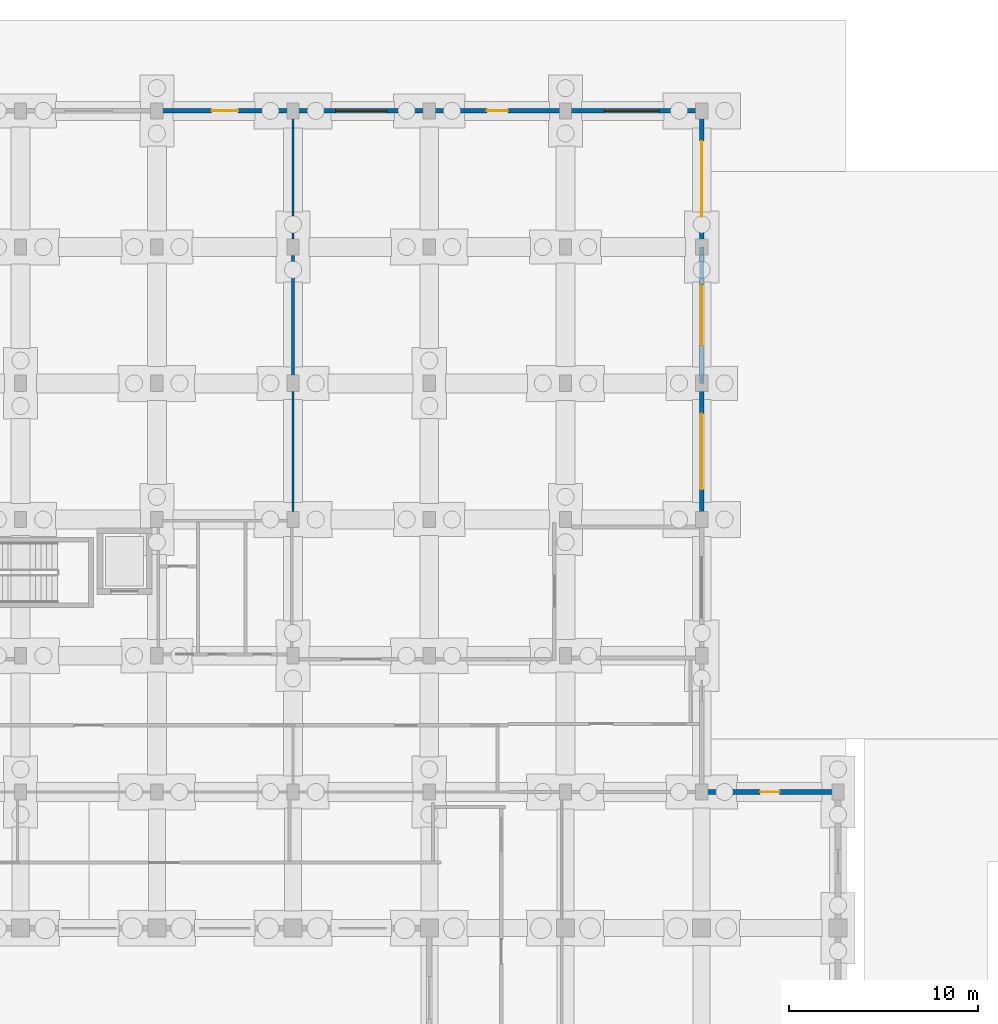
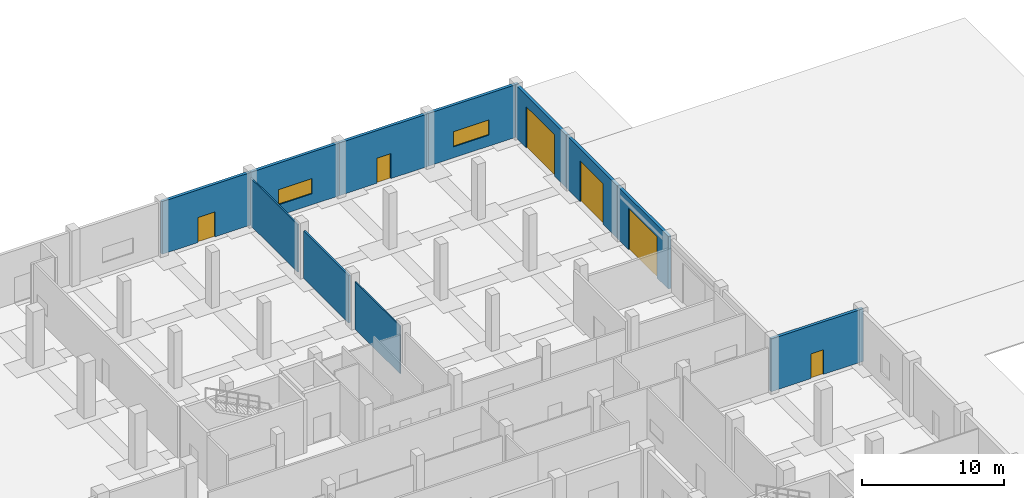
# One storey, part 35 of 48: 11 walls, 6 doors, 2 windows, 8 openings.
"""IFC4 building model written with IfcOpenShell, lengths in metres."""

from ifc_helpers import new_model, si_unit, direction, frame, frame_2d, origin, place, context, subcontext, project, spatial, rectangle, extrude, material, layer, layer_set, type_object, element, fill, save


model = new_model("IFC4")

# Units and contexts
model_context = context("Model", 3, precision=1e-05, world=origin(), true_north=direction((0.0, 1.0)))
body_context = subcontext(model_context, "Body", "Model", "MODEL_VIEW")
ifc_project = project(units=[si_unit("LENGTHUNIT", "METRE"), si_unit("AREAUNIT", "SQUARE_METRE"), si_unit("VOLUMEUNIT", "CUBIC_METRE"), si_unit("PLANEANGLEUNIT", "RADIAN"), si_unit("MASSUNIT", "GRAM", prefix="KILO")], contexts=[model_context])

# Site, building, storey
site_placement = place(None, origin())
site = spatial("IfcSite", under=ifc_project, at=site_placement, CompositionType="ELEMENT")
building_placement = place(site_placement, origin())
building = spatial("IfcBuilding", under=site, at=building_placement, Name="Seraya Terrace Polytechnic", CompositionType="ELEMENT")
storey_placement = place(building_placement, origin())
storey = spatial("IfcBuildingStorey", under=building, at=storey_placement, Name="L00", CompositionType="ELEMENT", Elevation=0.0)

# Wall, opening, door
ifc_material_1 = material(Name="Concrete C40/50", Category="concrete")
ifc_layer_1 = layer(ifc_material_1, 0.239990234375, Name="EW-04")
ifc_layer_set_1 = layer_set([ifc_layer_1], Name="Concrete C40/50")
wall_type_1 = type_object("IfcWallType", Name="EW-04", PredefinedType="SOLIDWALL", material=ifc_layer_set_1)
wall_1_placement = place(storey_placement, frame((129.60009765625, 115.199951171875, 0.0), z_axis=(0.0, 0.0, 1.0), x_axis=(1.0, 0.0, 0.0)))
wall_1 = element("IfcWall", 1, at=wall_1_placement, inside=storey, type_object=wall_type_1, Name="Exterior structural wall EW-04 L00", PredefinedType="SOLIDWALL", context=body_context, shape_type="SweptSolid", body=[
    extrude(rectangle(XDim=7.199951171875, YDim=0.239990234375, at=frame_2d((3.60009765625, 0.0))), origin(), (0.0, 0.0, 1.0), 4.52001953125),
])
opening_1_placement = place(wall_1_placement, frame((2.89990234375, 0.0, 0.0)))
opening_1 = element("IfcOpeningElement", 2, at=opening_1_placement, cuts=wall_1, Name="Opening ED-05", PredefinedType="OPENING", context=body_context, shape_type="SweptSolid", body=[
    extrude(rectangle(XDim=1.39990234375, YDim=2.14990234375, at=frame_2d((0.699951171875, 1.074951171875))), frame((0.0, 0.1318359375, 0.0), z_axis=(0.0, -1.0, 0.0), x_axis=(1.0, 0.0, 0.0)), (0.0, 0.0, 1.0), 0.263916015625),
])
ifc_material_2 = material(Name="Anodised aluminium EN AW-6063 T6", Category="aluminium")
door_type_1 = type_object("IfcDoorType", Name="ED-05", OperationType="DOUBLE_DOOR_SINGLE_SWING", PredefinedType="DOOR", material=ifc_material_2)
door_1_placement = place(opening_1_placement, origin())
door_1 = element("IfcDoor", 3, at=door_1_placement, inside=storey, type_object=door_type_1, Name="Door ED-05 DR-EXIT-L00-013 in WL-EXT-L00-04-16", OperationType="DOUBLE_DOOR_SINGLE_SWING", OverallHeight=2.14990234375, OverallWidth=1.39990234375, PredefinedType="DOOR", context=body_context, shape_type="SweptSolid", body=[
    extrude(rectangle(XDim=1.39990234375, YDim=2.14990234375, at=frame_2d((0.699951171875, 1.074951171875))), frame((0.0, 0.02490234375, 0.0), z_axis=(0.0, -1.0, 0.0), x_axis=(1.0, 0.0, 0.0)), (0.0, 0.0, 1.0), 0.050048828125),
])
fill(opening_1, door_1)

# Wall, opening, window
wall_2_placement = place(storey_placement, frame((136.800048828125, 115.199951171875, 0.0), z_axis=(0.0, 0.0, 1.0), x_axis=(1.0, 0.0, 0.0)))
wall_2 = element("IfcWall", 4, at=wall_2_placement, inside=storey, type_object=wall_type_1, Name="Exterior structural wall EW-04 L00", PredefinedType="SOLIDWALL", context=body_context, shape_type="SweptSolid", body=[
    extrude(rectangle(XDim=7.199951171875, YDim=0.239990234375, at=frame_2d((3.60009765625, 0.0))), origin(), (0.0, 0.0, 1.0), 4.52001953125),
])
opening_2_placement = place(wall_2_placement, frame((2.25, 0.0, 0.949951171875)))
opening_2 = element("IfcOpeningElement", 5, at=opening_2_placement, cuts=wall_2, Name="Opening WN-11", PredefinedType="OPENING", context=body_context, shape_type="SweptSolid", body=[
    extrude(rectangle(XDim=2.699951171875, YDim=1.300048828125, at=frame_2d((1.35009765625, 0.64990234375))), frame((0.0, 0.1318359375, 0.0), z_axis=(0.0, -1.0, 0.0), x_axis=(1.0, 0.0, 0.0)), (0.0, 0.0, 1.0), 0.263916015625),
])
ifc_material_3 = material(Name="Laminated solar-control Low-E double glazing", Category="glass")
window_type_1 = type_object("IfcWindowType", Name="WN-11", PartitioningType="SINGLE_PANEL", PredefinedType="WINDOW", material=ifc_material_3)
window_1_placement = place(opening_2_placement, origin())
window_1 = element("IfcWindow", 6, at=window_1_placement, inside=storey, type_object=window_type_1, Name="Exterior window WN-11 L00", OverallHeight=1.300048828125, OverallWidth=2.699951171875, PartitioningType="SINGLE_PANEL", PredefinedType="WINDOW", context=body_context, shape_type="SweptSolid", body=[
    extrude(rectangle(XDim=2.699951171875, YDim=1.300048828125, at=frame_2d((1.35009765625, 0.64990234375))), frame((0.0, 0.030029296875, 0.0), z_axis=(0.0, -1.0, 0.0), x_axis=(1.0, 0.0, 0.0)), (0.0, 0.0, 1.0), 0.06005859375),
])
fill(opening_2, window_1)

# Wall, opening, door
wall_3_placement = place(storey_placement, frame((144.0, 115.199951171875, 0.0), z_axis=(0.0, 0.0, 1.0), x_axis=(1.0, 0.0, 0.0)))
wall_3 = element("IfcWall", 7, at=wall_3_placement, inside=storey, type_object=wall_type_1, Name="Exterior structural wall EW-04 L00", PredefinedType="SOLIDWALL", context=body_context, shape_type="SweptSolid", body=[
    extrude(rectangle(XDim=7.199951171875, YDim=0.239990234375, at=frame_2d((3.60009765625, 0.0))), origin(), (0.0, 0.0, 1.0), 4.52001953125),
])
opening_3_placement = place(wall_3_placement, frame((3.0400390625, 0.0, 0.0)))
opening_3 = element("IfcOpeningElement", 8, at=opening_3_placement, cuts=wall_3, Name="Opening ED-06", PredefinedType="OPENING", context=body_context, shape_type="SweptSolid", body=[
    extrude(rectangle(XDim=1.1201171875, YDim=2.14990234375, at=frame_2d((0.56005859375, 1.074951171875))), frame((0.0, 0.1318359375, 0.0), z_axis=(0.0, -1.0, 0.0), x_axis=(1.0, 0.0, 0.0)), (0.0, 0.0, 1.0), 0.263916015625),
])
door_type_2 = type_object("IfcDoorType", Name="ED-06", OperationType="NOTDEFINED", PredefinedType="DOOR", material=ifc_material_2)
door_2_placement = place(opening_3_placement, origin())
door_2 = element("IfcDoor", 9, at=door_2_placement, inside=storey, type_object=door_type_2, Name="Door ED-06 DR-EXIT-L00-014 in WL-EXT-L00-04-18", OperationType="SINGLE_SWING_LEFT", OverallHeight=2.14990234375, OverallWidth=1.1201171875, PredefinedType="DOOR", context=body_context, shape_type="SweptSolid", body=[
    extrude(rectangle(XDim=1.1201171875, YDim=2.14990234375, at=frame_2d((0.56005859375, 1.074951171875))), frame((0.0, 0.02490234375, 0.0), z_axis=(0.0, -1.0, 0.0), x_axis=(1.0, 0.0, 0.0)), (0.0, 0.0, 1.0), 0.050048828125),
])
fill(opening_3, door_2)

# Wall, opening, window
wall_4_placement = place(storey_placement, frame((151.199951171875, 115.199951171875, 0.0), z_axis=(0.0, 0.0, 1.0), x_axis=(1.0, 0.0, 0.0)))
wall_4 = element("IfcWall", 10, at=wall_4_placement, inside=storey, type_object=wall_type_1, Name="Exterior structural wall EW-04 L00", PredefinedType="SOLIDWALL", context=body_context, shape_type="SweptSolid", body=[
    extrude(rectangle(XDim=7.35009765625, YDim=0.239990234375, at=frame_2d((3.675048828125, 0.0))), origin(), (0.0, 0.0, 1.0), 4.52001953125),
])
opening_4_placement = place(wall_4_placement, frame((2.050048828125, 0.0, 0.949951171875)))
opening_4 = element("IfcOpeningElement", 11, at=opening_4_placement, cuts=wall_4, Name="Opening WN-12", PredefinedType="OPENING", context=body_context, shape_type="SweptSolid", body=[
    extrude(rectangle(XDim=2.89990234375, YDim=1.300048828125, at=frame_2d((1.449951171875, 0.64990234375))), frame((0.0, 0.1318359375, 0.0), z_axis=(0.0, -1.0, 0.0), x_axis=(1.0, 0.0, 0.0)), (0.0, 0.0, 1.0), 0.263916015625),
])
window_type_2 = type_object("IfcWindowType", Name="WN-12", PartitioningType="SINGLE_PANEL", PredefinedType="WINDOW", material=ifc_material_3)
window_2_placement = place(opening_4_placement, origin())
window_2 = element("IfcWindow", 12, at=window_2_placement, inside=storey, type_object=window_type_2, Name="Exterior window WN-12 L00", OverallHeight=1.300048828125, OverallWidth=2.89990234375, PartitioningType="SINGLE_PANEL", PredefinedType="WINDOW", context=body_context, shape_type="SweptSolid", body=[
    extrude(rectangle(XDim=2.89990234375, YDim=1.300048828125, at=frame_2d((1.449951171875, 0.64990234375))), frame((0.0, 0.030029296875, 0.0), z_axis=(0.0, -1.0, 0.0), x_axis=(1.0, 0.0, 0.0)), (0.0, 0.0, 1.0), 0.06005859375),
])
fill(opening_4, window_2)

# Wall, opening, door
wall_5_placement = place(storey_placement, frame((158.39990234375, 115.048095703125, 0.0), z_axis=(0.0, 0.0, 1.0), x_axis=(0.0, -1.0, 0.0)))
wall_5 = element("IfcWall", 13, at=wall_5_placement, inside=storey, type_object=wall_type_1, Name="Exterior structural wall EW-04 L00", PredefinedType="SOLIDWALL", context=body_context, shape_type="SweptSolid", body=[
    extrude(rectangle(XDim=7.048095703125, YDim=0.239990234375, at=frame_2d((3.52392578125, 0.0))), origin(), (0.0, 0.0, 1.0), 4.52001953125),
])
opening_5_placement = place(wall_5_placement, frame((1.447998046875, 0.0, 0.0)))
opening_5 = element("IfcOpeningElement", 14, at=opening_5_placement, cuts=wall_5, Name="Opening GD-01", PredefinedType="OPENING", context=body_context, shape_type="SweptSolid", body=[
    extrude(rectangle(XDim=4.0, YDim=3.550048828125, at=frame_2d((2.0, 1.77490234375))), frame((0.0, 0.1318359375, 0.0), z_axis=(0.0, -1.0, 0.0), x_axis=(1.0, 0.0, 0.0)), (0.0, 0.0, 1.0), 0.263916015625),
])
ifc_material_4 = material(Name="Steel S355J2", Category="steel")
door_type_3 = type_object("IfcDoorType", Name="GD-01", OperationType="ROLLINGUP", PredefinedType="GATE", material=ifc_material_4)
door_3_placement = place(opening_5_placement, origin())
door_3 = element("IfcDoor", 15, at=door_3_placement, inside=storey, type_object=door_type_3, Name="Door GD-01 GT-L00-05-00 in WL-EXT-L00-05-00", OperationType="ROLLINGUP", OverallHeight=3.550048828125, OverallWidth=4.0, PredefinedType="GATE", context=body_context, shape_type="SweptSolid", body=[
    extrude(rectangle(XDim=4.0, YDim=3.550048828125, at=frame_2d((2.0, 1.77490234375))), frame((0.0, 0.02490234375, 0.0), z_axis=(0.0, -1.0, 0.0), x_axis=(1.0, 0.0, 0.0)), (0.0, 0.0, 1.0), 0.050048828125),
])
fill(opening_5, door_3)

wall_6_placement = place(storey_placement, frame((158.39990234375, 108.0, 0.0), z_axis=(0.0, 0.0, 1.0), x_axis=(0.0, -1.0, 0.0)))
wall_6 = element("IfcWall", 16, at=wall_6_placement, inside=storey, type_object=wall_type_1, Name="Exterior structural wall EW-04 L00", PredefinedType="SOLIDWALL", context=body_context, shape_type="SweptSolid", body=[
    extrude(rectangle(XDim=7.199951171875, YDim=0.239990234375, at=frame_2d((3.60009765625, 0.0))), origin(), (0.0, 0.0, 1.0), 4.52001953125),
])
opening_6_placement = place(wall_6_placement, frame((2.0, 0.0, 0.0)))
opening_6 = element("IfcOpeningElement", 17, at=opening_6_placement, cuts=wall_6, Name="Opening GD-03", PredefinedType="OPENING", context=body_context, shape_type="SweptSolid", body=[
    extrude(rectangle(XDim=3.199951171875, YDim=3.5, at=frame_2d((1.60009765625, 1.75))), frame((0.0, 0.1318359375, 0.0), z_axis=(0.0, -1.0, 0.0), x_axis=(1.0, 0.0, 0.0)), (0.0, 0.0, 1.0), 0.263916015625),
])
door_type_4 = type_object("IfcDoorType", Name="GD-03", OperationType="ROLLINGUP", PredefinedType="GATE", material=ifc_material_4)
door_4_placement = place(opening_6_placement, origin())
door_4 = element("IfcDoor", 18, at=door_4_placement, inside=storey, type_object=door_type_4, Name="Door GD-03 GT-L00-05-01 in WL-EXT-L00-05-01", OperationType="ROLLINGUP", OverallHeight=3.5, OverallWidth=3.199951171875, PredefinedType="GATE", context=body_context, shape_type="SweptSolid", body=[
    extrude(rectangle(XDim=3.199951171875, YDim=3.5, at=frame_2d((1.60009765625, 1.75))), frame((0.0, 0.02490234375, 0.0), z_axis=(0.0, -1.0, 0.0), x_axis=(1.0, 0.0, 0.0)), (0.0, 0.0, 1.0), 0.050048828125),
])
fill(opening_6, door_4)

wall_7_placement = place(storey_placement, frame((158.39990234375, 100.800048828125, 0.0), z_axis=(0.0, 0.0, 1.0), x_axis=(0.0, -1.0, 0.0)))
wall_7 = element("IfcWall", 19, at=wall_7_placement, inside=storey, type_object=wall_type_1, Name="Exterior structural wall EW-04 L00", PredefinedType="SOLIDWALL", context=body_context, shape_type="SweptSolid", body=[
    extrude(rectangle(XDim=7.199951171875, YDim=0.239990234375, at=frame_2d((3.60009765625, 0.0))), origin(), (0.0, 0.0, 1.0), 4.52001953125),
])
opening_7_placement = place(wall_7_placement, frame((1.60009765625, 0.0, 0.0)))
opening_7 = element("IfcOpeningElement", 20, at=opening_7_placement, cuts=wall_7, Name="Opening GD-01", PredefinedType="OPENING", context=body_context, shape_type="SweptSolid", body=[
    extrude(rectangle(XDim=4.0, YDim=3.550048828125, at=frame_2d((2.0, 1.77490234375))), frame((0.0, 0.1318359375, 0.0), z_axis=(0.0, -1.0, 0.0), x_axis=(1.0, 0.0, 0.0)), (0.0, 0.0, 1.0), 0.263916015625),
])
door_5_placement = place(opening_7_placement, origin())
door_5 = element("IfcDoor", 21, at=door_5_placement, inside=storey, type_object=door_type_3, Name="Door GD-01 GT-L00-05-02 in WL-EXT-L00-05-02", OperationType="ROLLINGUP", OverallHeight=3.550048828125, OverallWidth=4.0, PredefinedType="GATE", context=body_context, shape_type="SweptSolid", body=[
    extrude(rectangle(XDim=4.0, YDim=3.550048828125, at=frame_2d((2.0, 1.77490234375))), frame((0.0, 0.02490234375, 0.0), z_axis=(0.0, -1.0, 0.0), x_axis=(1.0, 0.0, 0.0)), (0.0, 0.0, 1.0), 0.050048828125),
])
fill(opening_7, door_5)

wall_8_placement = place(storey_placement, frame((158.25, 79.199951171875, 0.0), z_axis=(0.0, 0.0, 1.0), x_axis=(1.0, 0.0, 0.0)))
wall_8 = element("IfcWall", 22, at=wall_8_placement, inside=storey, type_object=wall_type_1, Name="Exterior structural wall EW-04 L00", PredefinedType="SOLIDWALL", context=body_context, shape_type="SweptSolid", body=[
    extrude(rectangle(XDim=7.5, YDim=0.239990234375, at=frame_2d((3.75, 0.0))), origin(), (0.0, 0.0, 1.0), 4.52001953125),
])
opening_8_placement = place(wall_8_placement, frame((3.239990234375, 0.0, 0.0)))
opening_8 = element("IfcOpeningElement", 23, at=opening_8_placement, cuts=wall_8, Name="Opening ED-07", PredefinedType="OPENING", context=body_context, shape_type="SweptSolid", body=[
    extrude(rectangle(XDim=1.02001953125, YDim=2.1201171875, at=frame_2d((0.510009765625, 1.06005859375))), frame((0.0, 0.1318359375, 0.0), z_axis=(0.0, -1.0, 0.0), x_axis=(1.0, 0.0, 0.0)), (0.0, 0.0, 1.0), 0.263916015625),
])
door_type_5 = type_object("IfcDoorType", Name="ED-07", OperationType="NOTDEFINED", PredefinedType="DOOR", material=ifc_material_2)
door_6_placement = place(opening_8_placement, origin())
door_6 = element("IfcDoor", 24, at=door_6_placement, inside=storey, type_object=door_type_5, Name="Door ED-07 DR-EXIT-L00-015 in WL-EXT-L00-06-00", OperationType="SINGLE_SWING_RIGHT", OverallHeight=2.1201171875, OverallWidth=1.02001953125, PredefinedType="DOOR", context=body_context, shape_type="SweptSolid", body=[
    extrude(rectangle(XDim=1.02001953125, YDim=2.1201171875, at=frame_2d((0.510009765625, 1.06005859375))), frame((0.0, 0.02490234375, 0.0), z_axis=(0.0, -1.0, 0.0), x_axis=(1.0, 0.0, 0.0)), (0.0, 0.0, 1.0), 0.050048828125),
])
fill(opening_8, door_6)

# Walls
ifc_material_5 = material(Name="Autoclaved aerated concrete blockwork", Category="masonry")
ifc_layer_2 = layer(ifc_material_5, 0.14990234375, Name="PT-03")
ifc_layer_set_2 = layer_set([ifc_layer_2], Name="Autoclaved aerated concrete blockwork")
wall_type_2 = type_object("IfcWallType", Name="PT-03", PredefinedType="PARTITIONING", material=ifc_layer_set_2)
wall_9_placement = place(storey_placement, frame((136.800048828125, 101.235107421875, 0.0), z_axis=(0.0, 0.0, 1.0), x_axis=(0.0, 1.0, 0.0)))
element("IfcWall", 25, at=wall_9_placement, inside=storey, type_object=wall_type_2, Name="Internal partition PT-03 L00", PredefinedType="PARTITIONING", context=body_context, shape_type="SweptSolid", body=[
    extrude(rectangle(XDim=6.329833984375, YDim=0.14990234375, at=frame_2d((3.1650390625, 0.0))), origin(), (0.0, 0.0, 1.0), 4.080078125),
])
ifc_layer_3 = layer(ifc_material_5, 0.1201171875, Name="PT-05")
ifc_layer_set_3 = layer_set([ifc_layer_3], Name="Autoclaved aerated concrete blockwork")
wall_type_3 = type_object("IfcWallType", Name="PT-05", PredefinedType="PARTITIONING", material=ifc_layer_set_3)
wall_10_placement = place(storey_placement, frame((136.800048828125, 108.43505859375, 0.0), z_axis=(0.0, 0.0, 1.0), x_axis=(0.0, 1.0, 0.0)))
element("IfcWall", 26, at=wall_10_placement, inside=storey, type_object=wall_type_3, Name="Internal partition PT-05 L00", PredefinedType="PARTITIONING", context=body_context, shape_type="SweptSolid", body=[
    extrude(rectangle(XDim=6.633056640625, YDim=0.1201171875, at=frame_2d((3.31640625, 0.0))), origin(), (0.0, 0.0, 1.0), 4.080078125),
])
ifc_layer_4 = layer(ifc_material_5, 0.10009765625, Name="PT-06")
ifc_layer_set_4 = layer_set([ifc_layer_4], Name="Autoclaved aerated concrete blockwork")
wall_type_4 = type_object("IfcWallType", Name="PT-06", PredefinedType="PARTITIONING", material=ifc_layer_set_4)
wall_11_placement = place(storey_placement, frame((136.800048828125, 94.034912109375, 0.0), z_axis=(0.0, 0.0, 1.0), x_axis=(0.0, 1.0, 0.0)))
element("IfcWall", 27, at=wall_11_placement, inside=storey, type_object=wall_type_4, Name="Internal partition PT-06 L00", PredefinedType="PARTITIONING", context=body_context, shape_type="SweptSolid", body=[
    extrude(rectangle(XDim=6.330078125, YDim=0.10009765625, at=frame_2d((3.1650390625, 0.0))), origin(), (0.0, 0.0, 1.0), 4.080078125),
])

save(model, "model.ifc")
